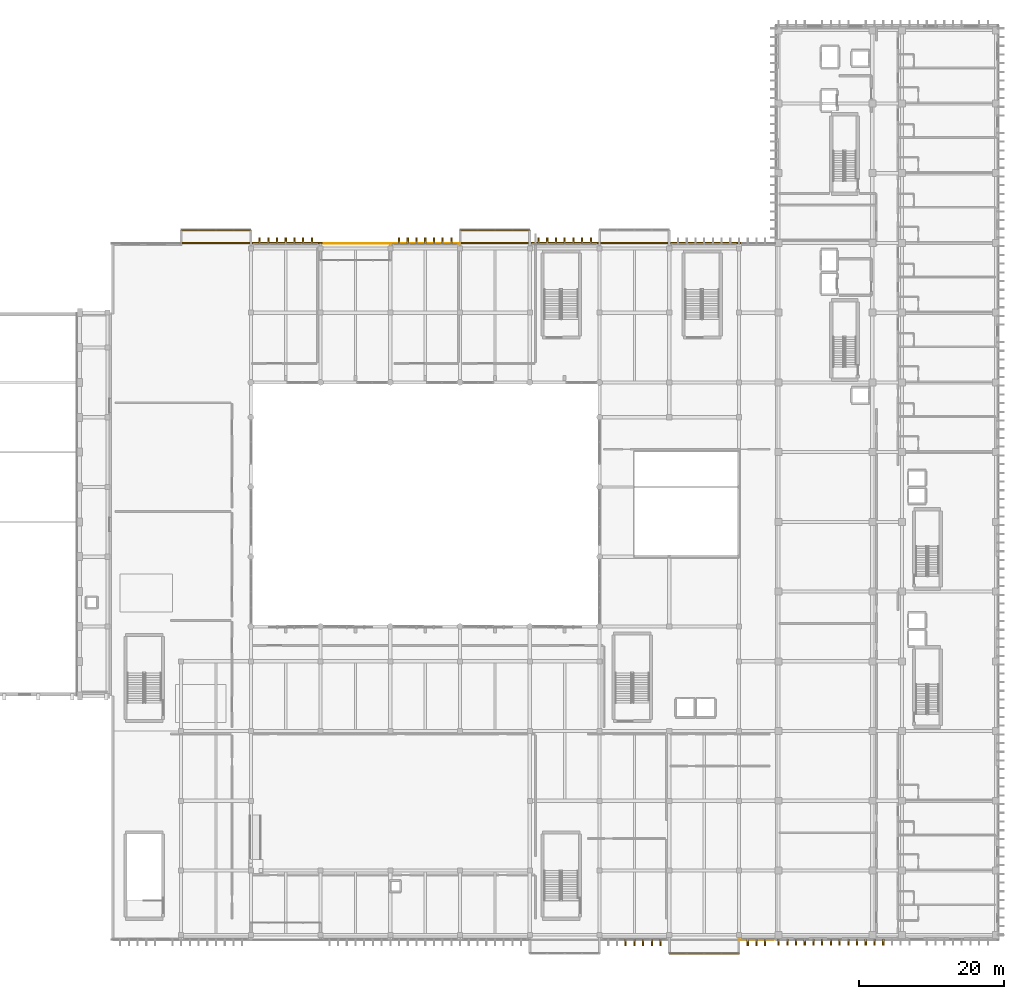
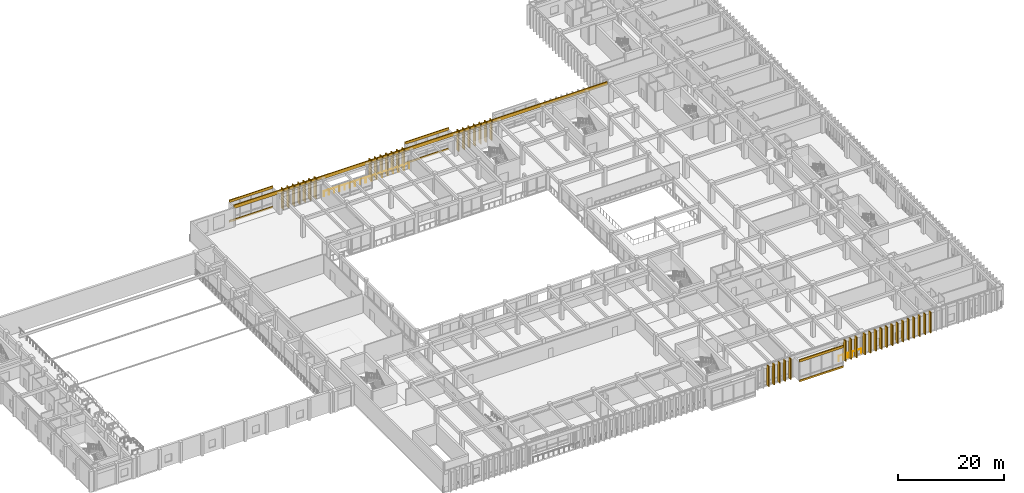
# One storey, part 125 of 133: 49 coverings, 42 shading devices, 3 railings.
"""IFC4 building model written with IfcOpenShell, lengths in metres."""

from ifc_helpers import new_model, si_unit, direction, frame, origin, origin_2d, place, context, subcontext, project, spatial, rectangle, circle, extrude, material, layer, layer_set, type_object, element, save


model = new_model("IFC4")

# Units and contexts
model_context = context("Model", 3, precision=1e-05, world=origin(), true_north=direction((0.0, 1.0)))
body_context = subcontext(model_context, "Body", "Model", "MODEL_VIEW")
ifc_project = project(units=[si_unit("LENGTHUNIT", "METRE"), si_unit("AREAUNIT", "SQUARE_METRE"), si_unit("VOLUMEUNIT", "CUBIC_METRE"), si_unit("PLANEANGLEUNIT", "RADIAN"), si_unit("MASSUNIT", "GRAM", prefix="KILO")], contexts=[model_context])

# Site, building, storey
site_placement = place(None, origin())
site = spatial("IfcSite", under=ifc_project, at=site_placement, CompositionType="ELEMENT")
building_placement = place(site_placement, origin())
building = spatial("IfcBuilding", under=site, at=building_placement, Name="Nakhvara Creek Congress Hotel", CompositionType="ELEMENT")
storey_placement = place(building_placement, frame((0.0, 0.0, 11.39990234375)))
storey = spatial("IfcBuildingStorey", under=building, at=storey_placement, Name="L02", CompositionType="ELEMENT", Elevation=11.39990234375)

# Coverings
ifc_material_1 = material(Name="Honed pale Omani limestone architectural cladding", Category="masonry")
ifc_layer_1 = layer(ifc_material_1, 0.219970703125)
ifc_layer_set_1 = layer_set([ifc_layer_1], Name="Honed pale Omani limestone architectural cladding")
covering_type_1 = type_object("IfcCoveringType", Name="COV-FIN-850", PredefinedType="CLADDING", material=ifc_layer_set_1)
for number, where, z_axis, x_axis, name in (
    (1, (128.39990234375, -0.304931640625, 0.0), (0.0, 0.0, 1.0), (1.0, 0.0, 0.0), "Pale Limestone Fin Cladding CF01-0256"),
    (2, (129.60009765625, -0.304931640625, 0.0), (0.0, 0.0, 1.0), (1.0, 0.0, 0.0), "Pale Limestone Fin Cladding CF01-0257"),
    (3, (130.800048828125, -0.304931640625, 0.0), (0.0, 0.0, 1.0), (1.0, 0.0, 0.0), "Pale Limestone Fin Cladding CF01-0258"),
    (4, (132.0, -0.304931640625, 0.0), (0.0, 0.0, 1.0), (1.0, 0.0, 0.0), "Pale Limestone Fin Cladding CF01-0259"),
    (5, (133.199951171875, -0.304931640625, 0.0), (0.0, 0.0, 1.0), (1.0, 0.0, 0.0), "Pale Limestone Fin Cladding CF01-0260"),
    (6, (145.199951171875, -0.304931640625, 0.0), (0.0, 0.0, 1.0), (1.0, 0.0, 0.0), "Pale Limestone Fin Cladding CF01-0261"),
    (7, (146.39990234375, -0.304931640625, 0.0), (0.0, 0.0, 1.0), (1.0, 0.0, 0.0), "Pale Limestone Fin Cladding CF01-0262"),
    (8, (147.60009765625, -0.304931640625, 0.0), (0.0, 0.0, 1.0), (1.0, 0.0, 0.0), "Pale Limestone Fin Cladding CF01-0263"),
    (9, (78.0, 96.304931640625, 0.0), (0.0, 0.0, 1.0), (1.0, 0.0, 0.0), "Pale Limestone Fin Cladding CF01-0264"),
    (10, (79.199951171875, 96.304931640625, 0.0), (0.0, 0.0, 1.0), (1.0, 0.0, 0.0), "Pale Limestone Fin Cladding CF01-0265"),
    (11, (80.39990234375, 96.304931640625, 0.0), (0.0, 0.0, 1.0), (1.0, 0.0, 0.0), "Pale Limestone Fin Cladding CF01-0266"),
    (12, (81.60009765625, 96.304931640625, 0.0), (0.0, 0.0, 1.0), (1.0, 0.0, 0.0), "Pale Limestone Fin Cladding CF01-0267"),
    (13, (82.800048828125, 96.304931640625, 0.0), (0.0, 0.0, 1.0), (1.0, 0.0, 0.0), "Pale Limestone Fin Cladding CF01-0268"),
    (14, (84.0, 96.304931640625, 0.0), (0.0, 0.0, 1.0), (1.0, 0.0, 0.0), "Pale Limestone Fin Cladding CF01-0269"),
    (15, (85.199951171875, 96.304931640625, 0.0), (0.0, 0.0, 1.0), (1.0, 0.0, 0.0), "Pale Limestone Fin Cladding CF01-0270"),
    (16, (97.199951171875, 96.304931640625, 0.0), (0.0, 0.0, 1.0), (1.0, 0.0, 0.0), "Pale Limestone Fin Cladding CF01-0271"),
    (17, (98.39990234375, 96.304931640625, 0.0), (0.0, 0.0, 1.0), (1.0, 0.0, 0.0), "Pale Limestone Fin Cladding CF01-0272"),
    (18, (99.60009765625, 96.304931640625, 0.0), (0.0, 0.0, 1.0), (1.0, 0.0, 0.0), "Pale Limestone Fin Cladding CF01-0273"),
    (19, (100.800048828125, 96.304931640625, 0.0), (0.0, 0.0, 1.0), (1.0, 0.0, 0.0), "Pale Limestone Fin Cladding CF01-0274"),
    (20, (102.0, 96.304931640625, 0.0), (0.0, 0.0, 1.0), (1.0, 0.0, 0.0), "Pale Limestone Fin Cladding CF01-0275"),
    (21, (103.199951171875, 96.304931640625, 0.0), (0.0, 0.0, 1.0), (1.0, 0.0, 0.0), "Pale Limestone Fin Cladding CF01-0276"),
    (22, (104.39990234375, 96.304931640625, 0.0), (0.0, 0.0, 1.0), (1.0, 0.0, 0.0), "Pale Limestone Fin Cladding CF01-0277"),
    (23, (116.39990234375, 96.304931640625, 0.0), (0.0, 0.0, 1.0), (1.0, 0.0, 0.0), "Pale Limestone Fin Cladding CF01-0278"),
    (24, (117.60009765625, 96.304931640625, 0.0), (0.0, 0.0, 1.0), (1.0, 0.0, 0.0), "Pale Limestone Fin Cladding CF01-0279"),
    (25, (118.800048828125, 96.304931640625, 0.0), (0.0, 0.0, 1.0), (1.0, 0.0, 0.0), "Pale Limestone Fin Cladding CF01-0280"),
    (26, (120.0, 96.304931640625, 0.0), (0.0, 0.0, 1.0), (1.0, 0.0, 0.0), "Pale Limestone Fin Cladding CF01-0281"),
    (27, (121.199951171875, 96.304931640625, 0.0), (0.0, 0.0, 1.0), (1.0, 0.0, 0.0), "Pale Limestone Fin Cladding CF01-0282"),
    (28, (122.39990234375, 96.304931640625, 0.0), (0.0, 0.0, 1.0), (1.0, 0.0, 0.0), "Pale Limestone Fin Cladding CF01-0283"),
    (29, (123.60009765625, 96.304931640625, 0.0), (0.0, 0.0, 1.0), (1.0, 0.0, 0.0), "Pale Limestone Fin Cladding CF01-0284"),
):
    element("IfcCovering", number, at=place(storey_placement, frame(where, z_axis=z_axis, x_axis=x_axis)), inside=storey, type_object=covering_type_1, Name=name, PredefinedType="CLADDING", context=body_context, shape_type="SweptSolid", body=[
        extrude(rectangle(XDim=0.219970703125, YDim=0.85009765625, at=origin_2d()), origin(), (0.0, 0.0, 1.0), 4.719970703125),
    ])
for number, where, z_axis, x_axis, name in (
    (30, (149.449951171875, -0.264892578125, 0.0), (0.0, 0.0, 1.0), (1.0, 0.0, 0.0), "Pale Limestone Fin Cladding CF01-0982"),
    (31, (150.64990234375, -0.264892578125, 0.0), (0.0, 0.0, 1.0), (1.0, 0.0, 0.0), "Pale Limestone Fin Cladding CF01-0984"),
    (32, (151.85009765625, -0.264892578125, 0.0), (0.0, 0.0, 1.0), (1.0, 0.0, 0.0), "Pale Limestone Fin Cladding CF01-0986"),
    (33, (153.050048828125, -0.264892578125, 0.0), (0.0, 0.0, 1.0), (1.0, 0.0, 0.0), "Pale Limestone Fin Cladding CF01-0988"),
    (34, (154.25, -0.264892578125, 0.0), (0.0, 0.0, 1.0), (1.0, 0.0, 0.0), "Pale Limestone Fin Cladding CF01-0989"),
    (35, (155.449951171875, -0.264892578125, 0.0), (0.0, 0.0, 1.0), (1.0, 0.0, 0.0), "Pale Limestone Fin Cladding CF01-0991"),
    (36, (156.64990234375, -0.264892578125, 0.0), (0.0, 0.0, 1.0), (1.0, 0.0, 0.0), "Pale Limestone Fin Cladding CF01-0993"),
    (37, (157.85009765625, -0.264892578125, 0.0), (0.0, 0.0, 1.0), (1.0, 0.0, 0.0), "Pale Limestone Fin Cladding CF01-0995"),
    (38, (159.050048828125, -0.264892578125, 0.0), (0.0, 0.0, 1.0), (1.0, 0.0, 0.0), "Pale Limestone Fin Cladding CF01-0997"),
    (39, (160.25, -0.264892578125, 0.0), (0.0, 0.0, 1.0), (1.0, 0.0, 0.0), "Pale Limestone Fin Cladding CF01-0998"),
    (40, (161.449951171875, -0.264892578125, 0.0), (0.0, 0.0, 1.0), (1.0, 0.0, 0.0), "Pale Limestone Fin Cladding CF01-1000"),
    (41, (162.64990234375, -0.264892578125, 0.0), (0.0, 0.0, 1.0), (1.0, 0.0, 0.0), "Pale Limestone Fin Cladding CF01-1002"),
    (42, (163.85009765625, -0.264892578125, 0.0), (0.0, 0.0, 1.0), (1.0, 0.0, 0.0), "Pale Limestone Fin Cladding CF01-1004"),
):
    element("IfcCovering", number, at=place(storey_placement, frame(where, z_axis=z_axis, x_axis=x_axis)), inside=storey, type_object=covering_type_1, Name=name, PredefinedType="CLADDING", context=body_context, shape_type="SweptSolid", body=[
        extrude(rectangle(XDim=0.219970703125, YDim=0.85009765625, at=origin_2d()), origin(), (0.0, 0.0, 1.0), 4.760009765625),
    ])
ifc_layer_2 = layer(ifc_material_1, 0.179931640625)
ifc_layer_set_2 = layer_set([ifc_layer_2], Name="Honed pale Omani limestone architectural cladding")
covering_type_2 = type_object("IfcCoveringType", Name="COV-SPN-180", PredefinedType="CLADDING", material=ifc_layer_set_2)
covering_1_placement = place(storey_placement, frame((108.0, 95.989990234375, 4.0400390625), z_axis=(0.0, 0.0, 1.0), x_axis=(1.0, 0.0, 0.0)))
element("IfcCovering", 43, at=covering_1_placement, inside=storey, type_object=covering_type_2, Name="Pale Limestone Spandrel Band CF02-0018", PredefinedType="CLADDING", context=body_context, shape_type="SweptSolid", body=[
    extrude(rectangle(XDim=81.60009765625, YDim=0.219970703125, at=origin_2d()), origin(), (0.0, 0.0, 1.0), 0.780029296875),
])
covering_2_placement = place(storey_placement, frame((72.0, 97.800048828125, -0.259765625), z_axis=(0.0, 0.0, 1.0), x_axis=(1.0, 0.0, 0.0)))
element("IfcCovering", 44, at=covering_2_placement, inside=storey, type_object=covering_type_2, Name="Pale Limestone Spandrel Band CF02-0020", PredefinedType="CLADDING", context=body_context, shape_type="SweptSolid", body=[
    extrude(rectangle(XDim=9.60009765625, YDim=0.199951171875, at=origin_2d()), origin(), (0.0, 0.0, 1.0), 0.419921875),
])
covering_3_placement = place(storey_placement, frame((72.0, 97.800048828125, 4.300048828125), z_axis=(0.0, 0.0, 1.0), x_axis=(1.0, 0.0, 0.0)))
element("IfcCovering", 45, at=covering_3_placement, inside=storey, type_object=covering_type_2, Name="Pale Limestone Spandrel Band CF02-0021", PredefinedType="CLADDING", context=body_context, shape_type="SweptSolid", body=[
    extrude(rectangle(XDim=9.60009765625, YDim=0.199951171875, at=origin_2d()), origin(), (0.0, 0.0, 1.0), 0.56005859375),
])
covering_4_placement = place(storey_placement, frame((110.39990234375, 97.800048828125, -0.259765625), z_axis=(0.0, 0.0, 1.0), x_axis=(1.0, 0.0, 0.0)))
element("IfcCovering", 46, at=covering_4_placement, inside=storey, type_object=covering_type_2, Name="Pale Limestone Spandrel Band CF02-0022", PredefinedType="CLADDING", context=body_context, shape_type="SweptSolid", body=[
    extrude(rectangle(XDim=9.60009765625, YDim=0.199951171875, at=origin_2d()), origin(), (0.0, 0.0, 1.0), 0.419921875),
])
covering_5_placement = place(storey_placement, frame((110.39990234375, 97.800048828125, 4.300048828125), z_axis=(0.0, 0.0, 1.0), x_axis=(1.0, 0.0, 0.0)))
element("IfcCovering", 47, at=covering_5_placement, inside=storey, type_object=covering_type_2, Name="Pale Limestone Spandrel Band CF02-0023", PredefinedType="CLADDING", context=body_context, shape_type="SweptSolid", body=[
    extrude(rectangle(XDim=9.60009765625, YDim=0.199951171875, at=origin_2d()), origin(), (0.0, 0.0, 1.0), 0.56005859375),
])
covering_6_placement = place(storey_placement, frame((139.199951171875, -1.800048828125, -0.259765625), z_axis=(0.0, 0.0, 1.0), x_axis=(1.0, 0.0, 0.0)))
element("IfcCovering", 48, at=covering_6_placement, inside=storey, type_object=covering_type_2, Name="Pale Limestone Spandrel Band CF02-0028", PredefinedType="CLADDING", context=body_context, shape_type="SweptSolid", body=[
    extrude(rectangle(XDim=9.60009765625, YDim=0.199951171875, at=origin_2d()), origin(), (0.0, 0.0, 1.0), 0.419921875),
])
covering_7_placement = place(storey_placement, frame((139.199951171875, -1.800048828125, 4.300048828125), z_axis=(0.0, 0.0, 1.0), x_axis=(1.0, 0.0, 0.0)))
element("IfcCovering", 49, at=covering_7_placement, inside=storey, type_object=covering_type_2, Name="Pale Limestone Spandrel Band CF02-0029", PredefinedType="CLADDING", context=body_context, shape_type="SweptSolid", body=[
    extrude(rectangle(XDim=9.60009765625, YDim=0.199951171875, at=origin_2d()), origin(), (0.0, 0.0, 1.0), 0.56005859375),
])

# Railings
ifc_material_2 = material(Name="Bronze-anodised aluminium and laminated safety glass balustrade", Category="aluminium")
railing_type_1 = type_object("IfcRailingType", Name="RL-BALUS-1200", PredefinedType="BALUSTRADE", material=ifc_material_2)
railing_1_placement = place(storey_placement, frame((86.85009765625, 95.919921875, 0.0)))
element("IfcRailing", 50, at=railing_1_placement, inside=storey, type_object=railing_type_1, Name="Recessed Loggia Balustrade RBOX-L02-N1", PredefinedType="BALUSTRADE", context=body_context, shape_type="SweptSolid", body=[
    extrude(circle(Radius=0.02392578125, at=origin_2d()), frame((0.0146484375, 0.0, 1.17578125), z_axis=(1.0, 0.0, 0.0), x_axis=(0.0, 1.0, 0.0)), (0.0, 0.0, 1.0), 9.04052734375),
    extrude(circle(Radius=0.02099609375, at=origin_2d()), origin(), (0.0, 0.0, 1.0), 1.1806640625),
    extrude(circle(Radius=0.02099609375, at=origin_2d()), frame((1.1337890625, 0.0, 0.0)), (0.0, 0.0, 1.0), 1.1806640625),
    extrude(circle(Radius=0.02099609375, at=origin_2d()), frame((2.267578125, 0.0, 0.0)), (0.0, 0.0, 1.0), 1.1806640625),
    extrude(circle(Radius=0.02099609375, at=origin_2d()), frame((3.401123046875, 0.0, 0.0)), (0.0, 0.0, 1.0), 1.1806640625),
    extrude(circle(Radius=0.02099609375, at=origin_2d()), frame((4.534912109375, 0.0, 0.0)), (0.0, 0.0, 1.0), 1.1806640625),
    extrude(circle(Radius=0.02099609375, at=origin_2d()), frame((5.668701171875, 0.0, 0.0)), (0.0, 0.0, 1.0), 1.1806640625),
    extrude(circle(Radius=0.02099609375, at=origin_2d()), frame((6.80224609375, 0.0, 0.0)), (0.0, 0.0, 1.0), 1.1806640625),
    extrude(circle(Radius=0.02099609375, at=origin_2d()), frame((7.93603515625, 0.0, 0.0)), (0.0, 0.0, 1.0), 1.1806640625),
    extrude(circle(Radius=0.02099609375, at=origin_2d()), frame((9.06982421875, 0.0, 0.0)), (0.0, 0.0, 1.0), 1.1806640625),
])
ifc_material_3 = material(Name="Brushed stainless steel 316L", Category="steel")
railing_type_2 = type_object("IfcRailingType", Name="RL-GUARD-1200", PredefinedType="GUARDRAIL", material=ifc_material_3)
railing_2_placement = place(storey_placement, frame((96.06005859375, 95.919921875, 0.0)))
element("IfcRailing", 51, at=railing_2_placement, inside=storey, type_object=railing_type_2, Name="North Conference Edge Guard L02-96", PredefinedType="GUARDRAIL", context=body_context, shape_type="SweptSolid", body=[
    extrude(circle(Radius=0.02392578125, at=origin_2d()), frame((0.0146484375, 0.0, 1.17578125), z_axis=(1.0, 0.0, 0.0), x_axis=(0.0, 1.0, 0.0)), (0.0, 0.0, 1.0), 9.45068359375),
    extrude(circle(Radius=0.02099609375, at=origin_2d()), origin(), (0.0, 0.0, 1.0), 1.1806640625),
    extrude(circle(Radius=0.02099609375, at=origin_2d()), frame((1.18505859375, 0.0, 0.0)), (0.0, 0.0, 1.0), 1.1806640625),
    extrude(circle(Radius=0.02099609375, at=origin_2d()), frame((2.3701171875, 0.0, 0.0)), (0.0, 0.0, 1.0), 1.1806640625),
    extrude(circle(Radius=0.02099609375, at=origin_2d()), frame((3.554931640625, 0.0, 0.0)), (0.0, 0.0, 1.0), 1.1806640625),
    extrude(circle(Radius=0.02099609375, at=origin_2d()), frame((4.739990234375, 0.0, 0.0)), (0.0, 0.0, 1.0), 1.1806640625),
    extrude(circle(Radius=0.02099609375, at=origin_2d()), frame((5.925048828125, 0.0, 0.0)), (0.0, 0.0, 1.0), 1.1806640625),
    extrude(circle(Radius=0.02099609375, at=origin_2d()), frame((7.10986328125, 0.0, 0.0)), (0.0, 0.0, 1.0), 1.1806640625),
    extrude(circle(Radius=0.02099609375, at=origin_2d()), frame((8.294921875, 0.0, 0.0)), (0.0, 0.0, 1.0), 1.1806640625),
    extrude(circle(Radius=0.02099609375, at=origin_2d()), frame((9.47998046875, 0.0, 0.0)), (0.0, 0.0, 1.0), 1.1806640625),
])
railing_3_placement = place(storey_placement, frame((144.06005859375, 0.080078125, 0.0)))
element("IfcRailing", 52, at=railing_3_placement, inside=storey, type_object=railing_type_2, Name="South Spa Facade Safety Rail L02-144", PredefinedType="GUARDRAIL", context=body_context, shape_type="SweptSolid", body=[
    extrude(circle(Radius=0.02392578125, at=origin_2d()), frame((0.0146484375, 0.0, 1.17578125), z_axis=(1.0, 0.0, 0.0), x_axis=(0.0, 1.0, 0.0)), (0.0, 0.0, 1.0), 4.900634765625),
    extrude(circle(Radius=0.02099609375, at=origin_2d()), origin(), (0.0, 0.0, 1.0), 1.1806640625),
    extrude(circle(Radius=0.02099609375, at=origin_2d()), frame((0.986083984375, 0.0, 0.0)), (0.0, 0.0, 1.0), 1.1806640625),
    extrude(circle(Radius=0.02099609375, at=origin_2d()), frame((1.971923828125, 0.0, 0.0)), (0.0, 0.0, 1.0), 1.1806640625),
    extrude(circle(Radius=0.02099609375, at=origin_2d()), frame((2.9580078125, 0.0, 0.0)), (0.0, 0.0, 1.0), 1.1806640625),
    extrude(circle(Radius=0.02099609375, at=origin_2d()), frame((3.94384765625, 0.0, 0.0)), (0.0, 0.0, 1.0), 1.1806640625),
    extrude(circle(Radius=0.02099609375, at=origin_2d()), frame((4.929931640625, 0.0, 0.0)), (0.0, 0.0, 1.0), 1.1806640625),
])

# Shading devices
ifc_material_4 = material(Name="Honed pale Omani limestone cladding on stainless steel spine", Category="masonry")
shading_device_type = type_object("IfcShadingDeviceType", Name="SHD-FIN-850X4700", PredefinedType="USERDEFINED", material=ifc_material_4)
for number, where, z_axis, x_axis, name in (
    (53, (128.39990234375, -0.304931640625, 0.0), (0.0, 0.0, 1.0), (1.0, 0.0, 0.0), "Limestone Solar Fin FN02-0256"),
    (54, (129.60009765625, -0.304931640625, 0.0), (0.0, 0.0, 1.0), (1.0, 0.0, 0.0), "Limestone Solar Fin FN02-0257"),
    (55, (130.800048828125, -0.304931640625, 0.0), (0.0, 0.0, 1.0), (1.0, 0.0, 0.0), "Limestone Solar Fin FN02-0258"),
    (56, (132.0, -0.304931640625, 0.0), (0.0, 0.0, 1.0), (1.0, 0.0, 0.0), "Limestone Solar Fin FN02-0259"),
    (57, (133.199951171875, -0.304931640625, 0.0), (0.0, 0.0, 1.0), (1.0, 0.0, 0.0), "Limestone Solar Fin FN02-0260"),
    (58, (145.199951171875, -0.304931640625, 0.0), (0.0, 0.0, 1.0), (1.0, 0.0, 0.0), "Limestone Solar Fin FN02-0261"),
    (59, (146.39990234375, -0.304931640625, 0.0), (0.0, 0.0, 1.0), (1.0, 0.0, 0.0), "Limestone Solar Fin FN02-0262"),
    (60, (147.60009765625, -0.304931640625, 0.0), (0.0, 0.0, 1.0), (1.0, 0.0, 0.0), "Limestone Solar Fin FN02-0263"),
    (61, (78.0, 96.304931640625, 0.0), (0.0, 0.0, 1.0), (1.0, 0.0, 0.0), "Limestone Solar Fin FN02-0264"),
    (62, (79.199951171875, 96.304931640625, 0.0), (0.0, 0.0, 1.0), (1.0, 0.0, 0.0), "Limestone Solar Fin FN02-0265"),
    (63, (80.39990234375, 96.304931640625, 0.0), (0.0, 0.0, 1.0), (1.0, 0.0, 0.0), "Limestone Solar Fin FN02-0266"),
    (64, (81.60009765625, 96.304931640625, 0.0), (0.0, 0.0, 1.0), (1.0, 0.0, 0.0), "Limestone Solar Fin FN02-0267"),
    (65, (82.800048828125, 96.304931640625, 0.0), (0.0, 0.0, 1.0), (1.0, 0.0, 0.0), "Limestone Solar Fin FN02-0268"),
    (66, (84.0, 96.304931640625, 0.0), (0.0, 0.0, 1.0), (1.0, 0.0, 0.0), "Limestone Solar Fin FN02-0269"),
    (67, (85.199951171875, 96.304931640625, 0.0), (0.0, 0.0, 1.0), (1.0, 0.0, 0.0), "Limestone Solar Fin FN02-0270"),
    (68, (97.199951171875, 96.304931640625, 0.0), (0.0, 0.0, 1.0), (1.0, 0.0, 0.0), "Limestone Solar Fin FN02-0271"),
    (69, (98.39990234375, 96.304931640625, 0.0), (0.0, 0.0, 1.0), (1.0, 0.0, 0.0), "Limestone Solar Fin FN02-0272"),
    (70, (99.60009765625, 96.304931640625, 0.0), (0.0, 0.0, 1.0), (1.0, 0.0, 0.0), "Limestone Solar Fin FN02-0273"),
    (71, (100.800048828125, 96.304931640625, 0.0), (0.0, 0.0, 1.0), (1.0, 0.0, 0.0), "Limestone Solar Fin FN02-0274"),
    (72, (102.0, 96.304931640625, 0.0), (0.0, 0.0, 1.0), (1.0, 0.0, 0.0), "Limestone Solar Fin FN02-0275"),
    (73, (103.199951171875, 96.304931640625, 0.0), (0.0, 0.0, 1.0), (1.0, 0.0, 0.0), "Limestone Solar Fin FN02-0276"),
    (74, (104.39990234375, 96.304931640625, 0.0), (0.0, 0.0, 1.0), (1.0, 0.0, 0.0), "Limestone Solar Fin FN02-0277"),
    (75, (116.39990234375, 96.304931640625, 0.0), (0.0, 0.0, 1.0), (1.0, 0.0, 0.0), "Limestone Solar Fin FN02-0278"),
    (76, (117.60009765625, 96.304931640625, 0.0), (0.0, 0.0, 1.0), (1.0, 0.0, 0.0), "Limestone Solar Fin FN02-0279"),
    (77, (118.800048828125, 96.304931640625, 0.0), (0.0, 0.0, 1.0), (1.0, 0.0, 0.0), "Limestone Solar Fin FN02-0280"),
    (78, (120.0, 96.304931640625, 0.0), (0.0, 0.0, 1.0), (1.0, 0.0, 0.0), "Limestone Solar Fin FN02-0281"),
    (79, (121.199951171875, 96.304931640625, 0.0), (0.0, 0.0, 1.0), (1.0, 0.0, 0.0), "Limestone Solar Fin FN02-0282"),
    (80, (122.39990234375, 96.304931640625, 0.0), (0.0, 0.0, 1.0), (1.0, 0.0, 0.0), "Limestone Solar Fin FN02-0283"),
    (81, (123.60009765625, 96.304931640625, 0.0), (0.0, 0.0, 1.0), (1.0, 0.0, 0.0), "Limestone Solar Fin FN02-0284"),
):
    element("IfcShadingDevice", number, at=place(storey_placement, frame(where, z_axis=z_axis, x_axis=x_axis)), inside=storey, type_object=shading_device_type, Name=name, ObjectType="FIN", PredefinedType="USERDEFINED", context=body_context, shape_type="SweptSolid", body=[
        extrude(rectangle(XDim=0.199951171875, YDim=0.85009765625, at=origin_2d()), origin(), (0.0, 0.0, 1.0), 4.719970703125),
    ])
for number, where, z_axis, x_axis, name in (
    (82, (149.449951171875, -0.264892578125, 0.0), (0.0, 0.0, 1.0), (1.0, 0.0, 0.0), "Limestone Solar Fin FN02-0847"),
    (83, (150.64990234375, -0.264892578125, 0.0), (0.0, 0.0, 1.0), (1.0, 0.0, 0.0), "Limestone Solar Fin FN02-0849"),
    (84, (151.85009765625, -0.264892578125, 0.0), (0.0, 0.0, 1.0), (1.0, 0.0, 0.0), "Limestone Solar Fin FN02-0851"),
    (85, (153.050048828125, -0.264892578125, 0.0), (0.0, 0.0, 1.0), (1.0, 0.0, 0.0), "Limestone Solar Fin FN02-0853"),
    (86, (154.25, -0.264892578125, 0.0), (0.0, 0.0, 1.0), (1.0, 0.0, 0.0), "Limestone Solar Fin FN02-0854"),
    (87, (155.449951171875, -0.264892578125, 0.0), (0.0, 0.0, 1.0), (1.0, 0.0, 0.0), "Limestone Solar Fin FN02-0856"),
    (88, (156.64990234375, -0.264892578125, 0.0), (0.0, 0.0, 1.0), (1.0, 0.0, 0.0), "Limestone Solar Fin FN02-0858"),
    (89, (157.85009765625, -0.264892578125, 0.0), (0.0, 0.0, 1.0), (1.0, 0.0, 0.0), "Limestone Solar Fin FN02-0860"),
    (90, (159.050048828125, -0.264892578125, 0.0), (0.0, 0.0, 1.0), (1.0, 0.0, 0.0), "Limestone Solar Fin FN02-0862"),
    (91, (160.25, -0.264892578125, 0.0), (0.0, 0.0, 1.0), (1.0, 0.0, 0.0), "Limestone Solar Fin FN02-0863"),
    (92, (161.449951171875, -0.264892578125, 0.0), (0.0, 0.0, 1.0), (1.0, 0.0, 0.0), "Limestone Solar Fin FN02-0865"),
    (93, (162.64990234375, -0.264892578125, 0.0), (0.0, 0.0, 1.0), (1.0, 0.0, 0.0), "Limestone Solar Fin FN02-0867"),
    (94, (163.85009765625, -0.264892578125, 0.0), (0.0, 0.0, 1.0), (1.0, 0.0, 0.0), "Limestone Solar Fin FN02-0869"),
):
    element("IfcShadingDevice", number, at=place(storey_placement, frame(where, z_axis=z_axis, x_axis=x_axis)), inside=storey, type_object=shading_device_type, Name=name, ObjectType="FIN", PredefinedType="USERDEFINED", context=body_context, shape_type="SweptSolid", body=[
        extrude(rectangle(XDim=0.199951171875, YDim=0.85009765625, at=origin_2d()), origin(), (0.0, 0.0, 1.0), 4.760009765625),
    ])

save(model, "model.ifc")
